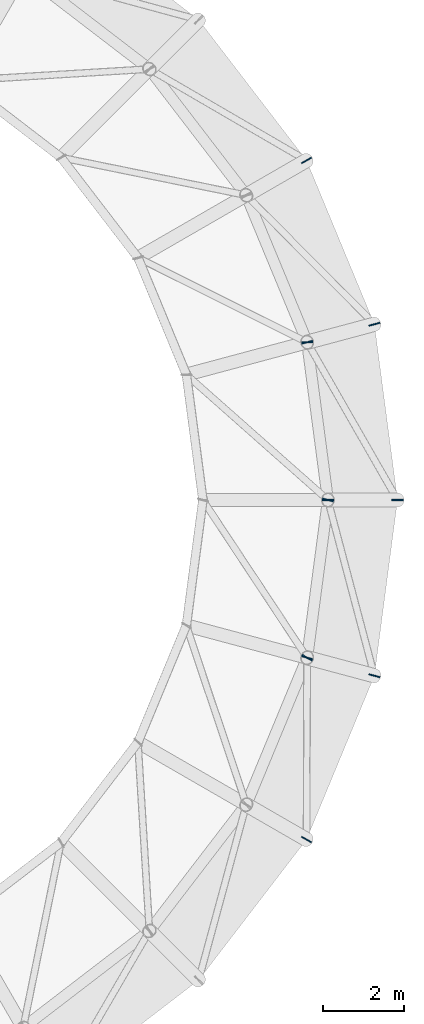
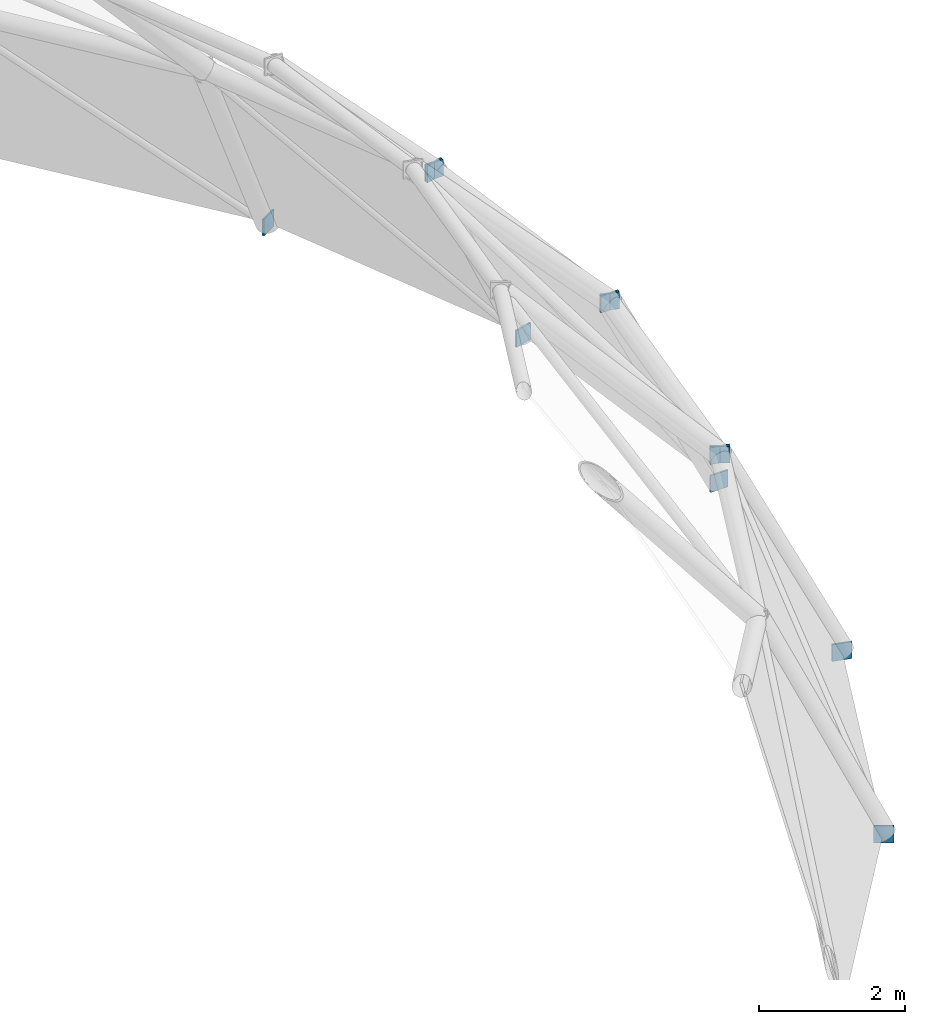
# One storey, part 42 of 48: 11 discrete accessories.
"""IFC4 building model written with IfcOpenShell, lengths in metres."""

from ifc_helpers import new_model, si_unit, direction, frame, origin, origin_2d, place, context, subcontext, project, spatial, rectangle, extrude, material, type_object, element, save


model = new_model("IFC4")

# Units and contexts
model_context = context("Model", 3, precision=1e-05, world=origin(), true_north=direction((0.0, 1.0)))
body_context = subcontext(model_context, "Body", "Model", "MODEL_VIEW")
ifc_project = project(units=[si_unit("LENGTHUNIT", "METRE"), si_unit("AREAUNIT", "SQUARE_METRE"), si_unit("VOLUMEUNIT", "CUBIC_METRE"), si_unit("PLANEANGLEUNIT", "RADIAN"), si_unit("MASSUNIT", "GRAM", prefix="KILO")], contexts=[model_context])

# Site, building, storey
site_placement = place(None, origin())
site = spatial("IfcSite", under=ifc_project, at=site_placement, CompositionType="ELEMENT")
building_placement = place(site_placement, origin())
building = spatial("IfcBuilding", under=site, at=building_placement, Name="Kandorven Conservatory and Botanical Research Centre", CompositionType="ELEMENT")
storey_placement = place(building_placement, frame((0.0, 0.0, 13.199951171875)))
storey = spatial("IfcBuildingStorey", under=building, at=storey_placement, Name="L03", CompositionType="ELEMENT", Elevation=13.199951171875)

# Discrete accessories
ifc_material = material(Name="Steel S355 (IS 2062 E350)", Category="steel")
discrete_accessory_type = type_object("IfcDiscreteAccessoryType", Name="BraceGussetPlate", PredefinedType="BRACKET", material=ifc_material)
for number, where, z_axis, x_axis, name in (
    (1, (104.425048828125, 47.800048828125, -2.5400390625), (0.0, 0.0, 1.0), (1.0, 0.0, 0.0), "Conservatory dome node gusset plate T1-S01-A"),
    (2, (102.185546875, 51.708251953125, 1.06005859375), (0.0, 0.0, 1.0), (1.0, 0.0, 0.0), "Conservatory dome node gusset plate T1-S01-B"),
    (3, (103.851806640625, 52.154541015625, -2.5400390625), (0.0, 0.0, 1.0), (0.965925826289, 0.258819045103, 0.0), "Conservatory dome node gusset plate T1-S02-A"),
    (4, (102.1708984375, 56.21240234375, -2.5400390625), (0.0, 0.0, 1.0), (0.866025403784, 0.5, 0.0), "Conservatory dome node gusset plate T1-S03-A"),
    (5, (102.1708984375, 39.387451171875, -2.5400390625), (0.0, 0.0, 1.0), (0.866025403784, -0.5, 0.0), "Conservatory dome node gusset plate T1-S23-A"),
    (6, (102.185546875, 43.891845703125, 1.06005859375), (0.0, 0.0, 1.0), (0.866025403784, -0.5, 0.0), "Conservatory dome node gusset plate T1-S23-B"),
    (7, (103.851806640625, 43.4453125, -2.5400390625), (0.0, 0.0, 1.0), (0.965925826289, -0.258819045103, 0.0), "Conservatory dome node gusset plate T1-S24-A"),
    (8, (102.699951171875, 47.800048828125, 1.06005859375), (0.0, 0.0, 1.0), (0.965925826289, -0.258819045103, 0.0), "Conservatory dome node gusset plate T1-S24-B"),
    (9, (102.699951171875, 47.800048828125, 1.06005859375), (0.0, 0.0, 1.0), (1.0, 0.0, 0.0), "Conservatory dome node gusset plate T2-S01-A"),
    (10, (102.185546875, 51.708251953125, 1.06005859375), (0.0, 0.0, 1.0), (0.965925826289, 0.258819045103, 0.0), "Conservatory dome node gusset plate T2-S02-A"),
    (11, (102.185546875, 43.891845703125, 1.06005859375), (0.0, 0.0, 1.0), (0.965925826289, -0.258819045103, 0.0), "Conservatory dome node gusset plate T2-S24-A"),
):
    element("IfcDiscreteAccessory", number, at=place(storey_placement, frame(where, z_axis=z_axis, x_axis=x_axis)), inside=storey, type_object=discrete_accessory_type, Name=name, PredefinedType="BRACKET", context=body_context, shape_type="SweptSolid", body=[
        extrude(rectangle(XDim=0.280029296875, YDim=0.028076171875, at=origin_2d()), origin(), (0.0, 0.0, 1.0), 0.280029296875),
    ])

save(model, "model.ifc")
